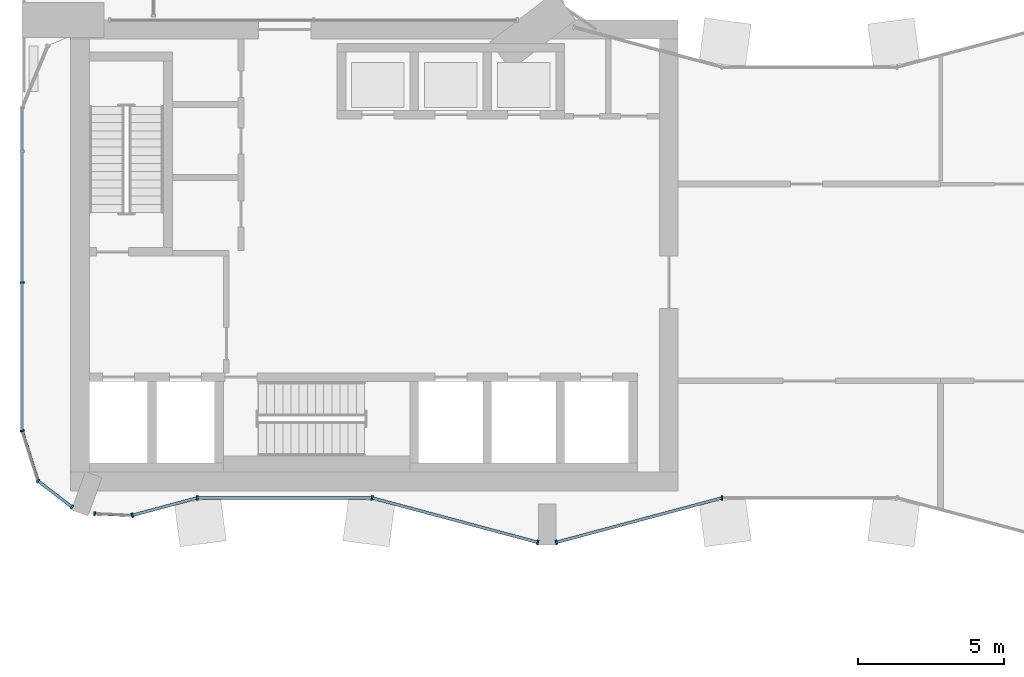
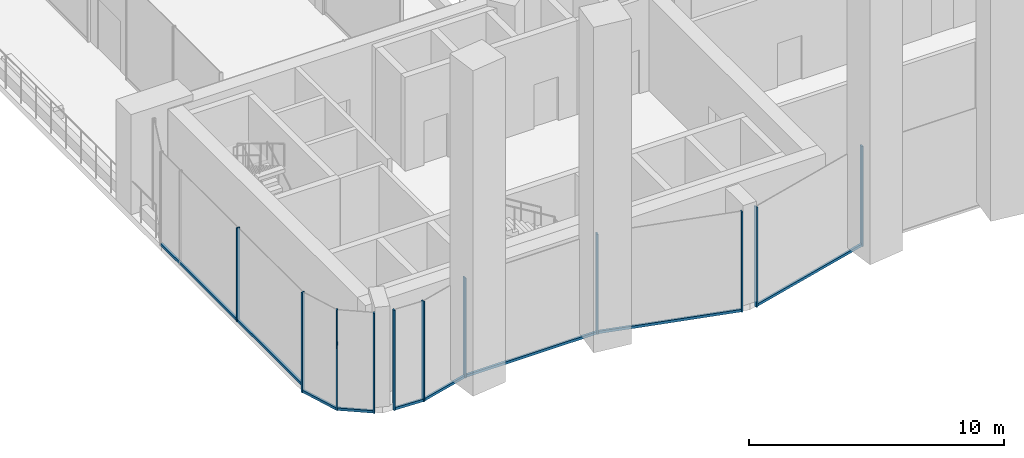
# One storey, part 2 of 23: 19 members, 9 elements without a shape of their own.
"""IFC4 building model written with IfcOpenShell, lengths in metres."""

import ifcopenshell
import ifcopenshell.guid

model = None  # the IFC model being written
_history = None  # IfcOwnerHistory: only IFC2X3 demands one
_inside = {}  # id of a spatial element -> (the spatial element, [elements in it])
_under = {}  # id of a project, library or spatial element -> (it, [spatial elements below it])
_declared = {}  # id of a project -> (the project, [libraries it declares])
_typed = {}  # id of a type object -> (the type object, [elements of that type])
_made_of = {}  # id of a material, layer set ... -> (it, [elements and type objects made of it])


def new_model(schema):
    """Start an empty IFC model of exactly this schema.

    Asked for "IFC4X3", IfcOpenShell would pick the latest addendum, in which some entities
    have other attributes; the version numbers below select the first issue.
    IFC2X3 requires an IfcOwnerHistory on every rooted entity: one is made here for all.
    """
    global model, _history
    if schema == "IFC4X3":
        model = ifcopenshell.file(schema_version=(4, 3, 0, 0))
    else:
        model = ifcopenshell.file(schema=schema)
    _inside.clear()
    _under.clear()
    _declared.clear()
    _typed.clear()
    _made_of.clear()
    _history = None
    if model.schema == "IFC2X3":
        org = make("IfcOrganization", Name="unknown")
        user = make(
            "IfcPersonAndOrganization",
            ThePerson=make("IfcPerson", FamilyName="unknown"),
            TheOrganization=org,
        )
        app = make(
            "IfcApplication",
            ApplicationDeveloper=org,
            Version="unknown",
            ApplicationFullName="unknown",
            ApplicationIdentifier="unknown",
        )
        _history = make(
            "IfcOwnerHistory",
            OwningUser=user,
            OwningApplication=app,
            ChangeAction="ADDED",
            CreationDate=0,
        )
    return model


def make(cls, **values):
    """One entity of the class cls with the attributes given. An attribute that is None is left unset."""
    return model.create_entity(
        cls, **{name: value for name, value in values.items() if value is not None}
    )


def rooted(cls, **values):
    """An entity with a GlobalId (a new one), such as an element, a storey or a relation."""
    return make(cls, GlobalId=ifcopenshell.guid.new(), OwnerHistory=_history, **values)


def si_unit(unit_type, name, prefix=None):
    """IfcSIUnit, for example si_unit("LENGTHUNIT", "METRE", prefix="MILLI")."""
    return make("IfcSIUnit", UnitType=unit_type, Prefix=prefix, Name=name)


def assignment(units):
    """IfcUnitAssignment: the units of a project."""
    return None if units is None else make("IfcUnitAssignment", Units=units)


def point(xyz):
    """IfcCartesianPoint."""
    return None if xyz is None else make("IfcCartesianPoint", Coordinates=xyz)


def direction(xyz):
    """IfcDirection."""
    return None if xyz is None else make("IfcDirection", DirectionRatios=xyz)


def frame(location, z_axis=None, x_axis=None):
    """IfcAxis2Placement3D, a coordinate frame: its origin and axes. An axis left out is left unset."""
    return make(
        "IfcAxis2Placement3D",
        Location=point(location),
        Axis=direction(z_axis),
        RefDirection=direction(x_axis),
    )


def frame_2d(location, x_axis=None):
    """IfcAxis2Placement2D, a coordinate frame in the plane: its origin and x axis."""
    return make(
        "IfcAxis2Placement2D", Location=point(location), RefDirection=direction(x_axis)
    )


def origin():
    """The frame at (0, 0, 0) with its axes left unset."""
    return frame((0.0, 0.0, 0.0))


def origin_2d():
    """The frame at (0, 0) in the plane with its x axis left unset."""
    return frame_2d((0.0, 0.0))


def place(relative_to, where):
    """IfcLocalPlacement: puts the frame where relative to a parent placement (None: the world)."""
    return make(
        "IfcLocalPlacement", PlacementRelTo=relative_to, RelativePlacement=where
    )


def context(
    kind, dimensions, precision=None, world=None, true_north=None, identifier=None
):
    """IfcGeometricRepresentationContext, for example the 3D "Model" context."""
    return make(
        "IfcGeometricRepresentationContext",
        ContextIdentifier=identifier,
        ContextType=kind,
        CoordinateSpaceDimension=dimensions,
        Precision=precision,
        WorldCoordinateSystem=world,
        TrueNorth=true_north,
    )


def subcontext(parent, identifier, kind, view, scale=None):
    """IfcGeometricRepresentationSubContext, for example "Body" below "Model"."""
    return make(
        "IfcGeometricRepresentationSubContext",
        ContextIdentifier=identifier,
        ContextType=kind,
        ParentContext=parent,
        TargetScale=scale,
        TargetView=view,
    )


def project(units=None, contexts=None):
    """IfcProject with its units and contexts."""
    return rooted(
        "IfcProject",
        Name="project",
        RepresentationContexts=contexts,
        UnitsInContext=assignment(units),
    )


def spatial(cls, under=None, at=None, **own):
    """A site, building, storey or space (cls), placed at a placement, below another one or the project."""
    s = rooted(cls, ObjectPlacement=at, **own)
    if under is not None:
        _under.setdefault(under.id(), (under, []))[1].append(s)
    return s


def profile(cls, at=None, kind="AREA", **sizes):
    """A parametric profile (cls). Its sizes go by their IFC names, for example OverallWidth=200.0."""
    return make(cls, ProfileType=kind, Position=at, **sizes)


def rectangle(**sizes):
    """IfcRectangleProfileDef."""
    return profile("IfcRectangleProfileDef", **sizes)


def extrude(swept, where, along, depth):
    """IfcExtrudedAreaSolid: the profile swept, set in the frame where, extruded along a direction by depth."""
    return make(
        "IfcExtrudedAreaSolid",
        SweptArea=swept,
        Position=where,
        ExtrudedDirection=direction(along),
        Depth=depth,
    )


def shape(context_of_items, identifier, shape_type, items):
    """IfcShapeRepresentation: the items that make up one representation, for example the "Body"."""
    return make(
        "IfcShapeRepresentation",
        ContextOfItems=context_of_items,
        RepresentationIdentifier=identifier,
        RepresentationType=shape_type,
        Items=items,
    )


def material(Name=None, Category=None):
    """IfcMaterial."""
    return make("IfcMaterial", Name=Name, Category=Category)


def layer(
    of_material, thickness, ventilated=None, Name=None, Category=None, Priority=None
):
    """IfcMaterialLayer: one layer of a wall or slab, of a material (None: an air gap)."""
    return make(
        "IfcMaterialLayer",
        Material=of_material,
        LayerThickness=thickness,
        IsVentilated=ventilated,
        Name=Name,
        Category=Category,
        Priority=Priority,
    )


def layer_set(layers, Name=None):
    """IfcMaterialLayerSet."""
    return make("IfcMaterialLayerSet", MaterialLayers=layers, LayerSetName=Name)


def material_profile(
    of_material, cross_section, Name=None, Category=None, Priority=None
):
    """IfcMaterialProfile: a cross section and its material."""
    return make(
        "IfcMaterialProfile",
        Name=Name,
        Material=of_material,
        Profile=cross_section,
        Priority=Priority,
        Category=Category,
    )


def profile_set(profiles, Name=None, composite=None):
    """IfcMaterialProfileSet."""
    return make(
        "IfcMaterialProfileSet",
        Name=Name,
        MaterialProfiles=profiles,
        CompositeProfile=composite,
    )


def made_of(thing, what):
    """Note that an element or type object is made of a material, layer set ...; save() writes the relation."""
    if what is not None:
        _made_of.setdefault(what.id(), (what, []))[1].append(thing)
    return thing


def type_object(cls, material=None, **own):
    """A type object (cls), such as IfcWallType, which elements share."""
    return made_of(rooted(cls, **own), material)


def element(
    cls,
    number,
    at=None,
    inside=None,
    cuts=None,
    type_object=None,
    material=None,
    context=None,
    identifier="Body",
    shape_type=None,
    held_by="IfcProductDefinitionShape",
    body=None,
    shapes=None,
    **own,
):
    """One element of the class cls, such as IfcWall. Its Tag is "e" and its number.

    at: its placement. inside: the storey or other place that contains it. cuts: it is an
    opening in that element (IfcRelVoidsElement). A single representation is given by context,
    identifier, shape_type and body (its items); several are given by shapes. held_by: the class
    of the entity that holds the representations. save() writes the other relations.
    """
    e = rooted(cls, Tag="e%d" % number, ObjectPlacement=at, **own)
    if body is not None:
        shapes = [shape(context, identifier, shape_type, body)]
    if shapes is not None:
        e.Representation = make(held_by, Representations=shapes)
    if inside is not None:
        _inside.setdefault(inside.id(), (inside, []))[1].append(e)
    if cuts is not None:
        rooted(
            "IfcRelVoidsElement", RelatingBuildingElement=cuts, RelatedOpeningElement=e
        )
    if type_object is not None:
        _typed.setdefault(type_object.id(), (type_object, []))[1].append(e)
    return made_of(e, material)


def aggregate(whole, parts):
    """IfcRelAggregates: a whole, such as a stair, and the parts it consists of."""
    return rooted("IfcRelAggregates", RelatingObject=whole, RelatedObjects=parts)


def save(model, path):
    """Write the relations noted so far, then the file.

    IfcRelAggregates (storeys below a building ...), IfcRelContainedInSpatialStructure (elements
    in a storey), IfcRelDefinesByType, IfcRelAssociatesMaterial and IfcRelDeclares: one each for
    every whole, place, type object, material and project.
    """
    for whole, parts in _under.values():
        aggregate(whole, parts)
    for where, things in _inside.values():
        rooted(
            "IfcRelContainedInSpatialStructure",
            RelatedElements=things,
            RelatingStructure=where,
        )
    for kind, things in _typed.values():
        rooted("IfcRelDefinesByType", RelatedObjects=things, RelatingType=kind)
    for what, things in _made_of.values():
        rooted("IfcRelAssociatesMaterial", RelatedObjects=things, RelatingMaterial=what)
    for by, libraries in _declared.values():
        rooted("IfcRelDeclares", RelatingContext=by, RelatedDefinitions=libraries)
    model.write(path)


model = new_model("IFC4")

# Units and contexts
model_context = context("Model", 3, precision=1e-05, world=origin(), true_north=direction((0.0, 1.0)))
body_context = subcontext(model_context, "Body", "Model", "MODEL_VIEW")
ifc_project = project(units=[si_unit("LENGTHUNIT", "METRE"), si_unit("AREAUNIT", "SQUARE_METRE"), si_unit("VOLUMEUNIT", "CUBIC_METRE"), si_unit("PLANEANGLEUNIT", "RADIAN"), si_unit("MASSUNIT", "GRAM", prefix="KILO")], contexts=[model_context])

# Site, building, storey
site_placement = place(None, origin())
site = spatial("IfcSite", under=ifc_project, at=site_placement, CompositionType="ELEMENT")
building_placement = place(site_placement, origin())
building = spatial("IfcBuilding", under=site, at=building_placement, Name="Plateau Cross Towers", CompositionType="ELEMENT")
storey_placement = place(building_placement, frame((0.0, 0.0, 123.800048828125)))
storey = spatial("IfcBuildingStorey", under=building, at=storey_placement, Name="L32", CompositionType="ELEMENT", Elevation=123.800048828125)

# Curtain wall, member
ifc_material_1 = material(Name="Dark low-iron glass", Category="glass")
ifc_layer_1 = layer(ifc_material_1, 0.239990234375)
ifc_layer_set_1 = layer_set([ifc_layer_1], Name="Dark low-iron glass")
curtain_wall_type_1 = type_object("IfcCurtainWallType", Name="Curtain wall flush unitised CW-B", PredefinedType="NOTDEFINED", material=ifc_layer_set_1)
curtain_wall_1_placement = place(storey_placement, origin())
curtain_wall_1 = element("IfcCurtainWall", 1, at=curtain_wall_1_placement, inside=storey, type_object=curtain_wall_type_1, Name="ENV/A/L32/A0_150", PredefinedType="NOTDEFINED")
ifc_material_2 = material(Name="Black anodised aluminium", Category="aluminium")
ifc_material_profile_1 = material_profile(ifc_material_2, rectangle(XDim=0.06005859375, YDim=0.139892578125, at=origin_2d()), Name="MULLION 60x140")
ifc_profile_set_1 = profile_set([ifc_material_profile_1], Name="Black anodised aluminium")
member_type_1 = type_object("IfcMemberType", Name="Mullion 60x140 flush unitised", PredefinedType="MULLION", material=ifc_profile_set_1)
member_1_placement = place(storey_placement, frame((0.0, 9.0, 0.0), z_axis=(0.0, 0.0, 1.0), x_axis=(0.0, -1.0, 0.0)))
member_1 = element("IfcMember", 2, at=member_1_placement, type_object=member_type_1, Name="CW-B mullion 3", PredefinedType="MULLION", context=body_context, shape_type="SweptSolid", body=[
    extrude(rectangle(XDim=0.06005859375, YDim=0.139892578125, at=origin_2d()), origin(), (0.0, 0.0, 1.0), 4.5),
])

curtain_wall_2_placement = place(storey_placement, origin())
curtain_wall_2 = element("IfcCurtainWall", 3, at=curtain_wall_2_placement, inside=storey, type_object=curtain_wall_type_1, Name="ENV/A/L32/A0_39", PredefinedType="NOTDEFINED")
member_2_placement = place(storey_placement, frame((0.0, 3.9091796875, -0.300048828125), z_axis=(0.0, 0.0, 1.0), x_axis=(0.300686174994, -0.95372313811, 0.0)))
member_2 = element("IfcMember", 4, at=member_2_placement, type_object=member_type_1, Name="CW-B mullion 1", PredefinedType="MULLION", context=body_context, shape_type="SweptSolid", body=[
    extrude(rectangle(XDim=0.06005859375, YDim=0.139892578125, at=origin_2d()), origin(), (0.0, 0.0, 1.0), 4.800048828125),
])

# Curtain wall, members
curtain_wall_3_placement = place(storey_placement, origin())
curtain_wall_3 = element("IfcCurtainWall", 5, at=curtain_wall_3_placement, inside=storey, type_object=curtain_wall_type_1, Name="ENV/A/L32/A5_22", PredefinedType="NOTDEFINED")
member_3_placement = place(storey_placement, frame((0.54248046875, 2.1884765625, -0.300048828125), z_axis=(0.0, 0.0, 1.0), x_axis=(0.793315514529, -0.608810721331, 0.0)))
member_3 = element("IfcMember", 6, at=member_3_placement, type_object=member_type_1, Name="CW-B mullion 1", PredefinedType="MULLION", context=body_context, shape_type="SweptSolid", body=[
    extrude(rectangle(XDim=0.06005859375, YDim=0.139892578125, at=origin_2d()), origin(), (0.0, 0.0, 1.0), 4.800048828125),
])
member_4_placement = place(storey_placement, frame((1.709716796875, 1.292724609375, -0.300048828125), z_axis=(0.0, 0.0, 1.0), x_axis=(0.793315514529, -0.608810721331, 0.0)))
member_4 = element("IfcMember", 7, at=member_4_placement, type_object=member_type_1, Name="CW-B mullion 2", PredefinedType="MULLION", context=body_context, shape_type="SweptSolid", body=[
    extrude(rectangle(XDim=0.06005859375, YDim=0.139892578125, at=origin_2d()), origin(), (0.0, 0.0, 1.0), 4.800048828125),
])

# Curtain wall, member
curtain_wall_4_placement = place(storey_placement, origin())
curtain_wall_4 = element("IfcCurtainWall", 8, at=curtain_wall_4_placement, inside=storey, type_object=curtain_wall_type_1, Name="ENV/A/L32/A25_11", PredefinedType="NOTDEFINED")
member_5_placement = place(storey_placement, frame((2.483642578125, 1.06787109375, -0.300048828125), z_axis=(0.0, 0.0, 1.0), x_axis=(0.999043701491, -0.043722791671, 0.0)))
member_5 = element("IfcMember", 9, at=member_5_placement, type_object=member_type_1, Name="CW-B mullion 1", PredefinedType="MULLION", context=body_context, shape_type="SweptSolid", body=[
    extrude(rectangle(XDim=0.06005859375, YDim=0.139892578125, at=origin_2d()), origin(), (0.0, 0.0, 1.0), 4.800048828125),
])

ifc_layer_2 = layer(ifc_material_1, 0.260009765625)
ifc_layer_set_2 = layer_set([ifc_layer_2], Name="Dark low-iron glass")
curtain_wall_type_2 = type_object("IfcCurtainWallType", Name="Curtain wall fluted unitised CW-A", PredefinedType="NOTDEFINED", material=ifc_layer_set_2)
curtain_wall_5_placement = place(storey_placement, origin())
curtain_wall_5 = element("IfcCurtainWall", 10, at=curtain_wall_5_placement, inside=storey, type_object=curtain_wall_type_2, Name="ENV/A/L32/A38_10", PredefinedType="NOTDEFINED")
ifc_material_profile_2 = material_profile(ifc_material_2, rectangle(XDim=0.06005859375, YDim=0.159912109375, at=origin_2d()), Name="MULLION 60x160")
ifc_profile_set_2 = profile_set([ifc_material_profile_2], Name="Black anodised aluminium")
member_type_2 = type_object("IfcMemberType", Name="Mullion 60x160 fluted unitised", PredefinedType="MULLION", material=ifc_profile_set_2)
member_6_placement = place(storey_placement, frame((3.776123046875, 1.01123046875, -0.300048828125), z_axis=(0.0, 0.0, 1.0), x_axis=(0.965957962328, 0.258699081978, 0.0)))
member_6 = element("IfcMember", 11, at=member_6_placement, type_object=member_type_2, Name="CW-A mullion 1", PredefinedType="MULLION", context=body_context, shape_type="SweptSolid", body=[
    extrude(rectangle(XDim=0.06005859375, YDim=0.159912109375, at=origin_2d()), origin(), (0.0, 0.0, 1.0), 4.800048828125),
])

curtain_wall_6_placement = place(storey_placement, origin())
curtain_wall_6 = element("IfcCurtainWall", 12, at=curtain_wall_6_placement, inside=storey, type_object=curtain_wall_type_2, Name="ENV/A/L32/A60_16", PredefinedType="NOTDEFINED")
member_7_placement = place(storey_placement, frame((6.0, 1.60693359375, -0.300048828125), z_axis=(0.0, 0.0, 1.0), x_axis=(1.0, 0.0, 0.0)))
member_7 = element("IfcMember", 13, at=member_7_placement, type_object=member_type_2, Name="CW-A mullion 1", PredefinedType="MULLION", context=body_context, shape_type="SweptSolid", body=[
    extrude(rectangle(XDim=0.06005859375, YDim=0.159912109375, at=origin_2d()), origin(), (0.0, 0.0, 1.0), 4.800048828125),
])

# Curtain wall, members
curtain_wall_7_placement = place(storey_placement, origin())
curtain_wall_7 = element("IfcCurtainWall", 14, at=curtain_wall_7_placement, inside=storey, type_object=curtain_wall_type_2, Name="ENV/A/L32/A120_16", PredefinedType="NOTDEFINED")
member_8_placement = place(storey_placement, frame((12.0, 1.60693359375, -0.300048828125), z_axis=(0.0, 0.0, 1.0), x_axis=(0.965957983404, -0.258699003279, 0.0)))
member_8 = element("IfcMember", 15, at=member_8_placement, type_object=member_type_2, Name="CW-A mullion 1", PredefinedType="MULLION", context=body_context, shape_type="SweptSolid", body=[
    extrude(rectangle(XDim=0.06005859375, YDim=0.159912109375, at=origin_2d()), origin(), (0.0, 0.0, 1.0), 4.800048828125),
])
member_9_placement = place(storey_placement, frame((17.68212890625, 0.085205078125, -0.300048828125), z_axis=(0.0, 0.0, 1.0), x_axis=(0.965957983404, -0.258699003279, 0.0)))
member_9 = element("IfcMember", 16, at=member_9_placement, type_object=member_type_2, Name="CW-A mullion 2", PredefinedType="MULLION", context=body_context, shape_type="SweptSolid", body=[
    extrude(rectangle(XDim=0.06005859375, YDim=0.159912109375, at=origin_2d()), origin(), (0.0, 0.0, 1.0), 4.800048828125),
])

# Curtain wall, member
curtain_wall_8_placement = place(storey_placement, origin())
curtain_wall_8 = element("IfcCurtainWall", 17, at=curtain_wall_8_placement, inside=storey, type_object=curtain_wall_type_2, Name="ENV/A/L32/A183_1", PredefinedType="NOTDEFINED")
member_10_placement = place(storey_placement, frame((18.31787109375, 0.085205078125, -0.300048828125), z_axis=(0.0, 0.0, 1.0), x_axis=(0.965957983404, 0.258699003279, 0.0)))
member_10 = element("IfcMember", 18, at=member_10_placement, type_object=member_type_2, Name="CW-A mullion 1", PredefinedType="MULLION", context=body_context, shape_type="SweptSolid", body=[
    extrude(rectangle(XDim=0.06005859375, YDim=0.159912109375, at=origin_2d()), origin(), (0.0, 0.0, 1.0), 4.800048828125),
])

curtain_wall_9_placement = place(storey_placement, origin())
curtain_wall_9 = element("IfcCurtainWall", 19, at=curtain_wall_9_placement, inside=storey, type_object=curtain_wall_type_2, Name="ENV/A/L32/A240_16", PredefinedType="NOTDEFINED")
member_11_placement = place(storey_placement, frame((24.0, 1.60693359375, -0.300048828125), z_axis=(0.0, 0.0, 1.0), x_axis=(1.0, 0.0, 0.0)))
member_11 = element("IfcMember", 20, at=member_11_placement, type_object=member_type_2, Name="CW-A mullion 1", PredefinedType="MULLION", context=body_context, shape_type="SweptSolid", body=[
    extrude(rectangle(XDim=0.06005859375, YDim=0.159912109375, at=origin_2d()), origin(), (0.0, 0.0, 1.0), 4.800048828125),
])
aggregate(curtain_wall_9, [member_11])

# Member
ifc_material_profile_3 = material_profile(ifc_material_2, rectangle(XDim=0.10009765625, YDim=0.1201171875, at=origin_2d()), Name="TRANSOM 100x120")
ifc_profile_set_3 = profile_set([ifc_material_profile_3], Name="Black anodised aluminium")
member_type_3 = type_object("IfcMemberType", Name="Transom 100x120 flush unitised", PredefinedType="USERDEFINED", material=ifc_profile_set_3)
member_12_placement = place(storey_placement, frame((0.0, 15.0, 0.06005859375), z_axis=(0.0, -1.0, 0.0), x_axis=(1.0, 0.0, 0.0)))
member_12 = element("IfcMember", 21, at=member_12_placement, type_object=member_type_3, Name="CW-B transom", ObjectType="TRANSOM", PredefinedType="USERDEFINED", context=body_context, shape_type="SweptSolid", body=[
    extrude(rectangle(XDim=0.10009765625, YDim=0.1201171875, at=origin_2d()), origin(), (0.0, 0.0, 1.0), 11.0908203125),
])

aggregate(curtain_wall_1, [member_1, member_12])

member_13_placement = place(storey_placement, frame((0.0, 3.9091796875, -0.239990234375), z_axis=(0.30067799945, -0.953725715626, 0.0), x_axis=(0.953725715626, 0.30067799945, 0.0)))
member_13 = element("IfcMember", 22, at=member_13_placement, type_object=member_type_3, Name="CW-B transom", ObjectType="TRANSOM", PredefinedType="USERDEFINED", context=body_context, shape_type="SweptSolid", body=[
    extrude(rectangle(XDim=0.10009765625, YDim=0.1201171875, at=origin_2d()), origin(), (0.0, 0.0, 1.0), 1.80419921875),
])

aggregate(curtain_wall_2, [member_2, member_13])

member_14_placement = place(storey_placement, frame((0.54248046875, 2.1884765625, -0.239990234375), z_axis=(0.793320508571, -0.608804213751, 0.0), x_axis=(0.608804213751, 0.793320508571, 0.0)))
member_14 = element("IfcMember", 23, at=member_14_placement, type_object=member_type_3, Name="CW-B transom", ObjectType="TRANSOM", PredefinedType="USERDEFINED", context=body_context, shape_type="SweptSolid", body=[
    extrude(rectangle(XDim=0.10009765625, YDim=0.1201171875, at=origin_2d()), origin(), (0.0, 0.0, 1.0), 1.471435546875),
])

aggregate(curtain_wall_3, [member_3, member_4, member_14])

member_15_placement = place(storey_placement, frame((2.483642578125, 1.06787109375, -0.239990234375), z_axis=(0.999041144614, -0.043781175963, 0.0), x_axis=(0.043781175963, 0.999041144614, 0.0)))
member_15 = element("IfcMember", 24, at=member_15_placement, type_object=member_type_3, Name="CW-B transom", ObjectType="TRANSOM", PredefinedType="USERDEFINED", context=body_context, shape_type="SweptSolid", body=[
    extrude(rectangle(XDim=0.10009765625, YDim=0.1201171875, at=origin_2d()), origin(), (0.0, 0.0, 1.0), 1.293701171875),
])

aggregate(curtain_wall_4, [member_5, member_15])

ifc_material_profile_4 = material_profile(ifc_material_2, rectangle(XDim=0.10009765625, YDim=0.1201171875, at=origin_2d()), Name="TRANSOM 100x120")
ifc_profile_set_4 = profile_set([ifc_material_profile_4], Name="Black anodised aluminium")
member_type_4 = type_object("IfcMemberType", Name="Transom 100x120 fluted unitised", PredefinedType="USERDEFINED", material=ifc_profile_set_4)
member_16_placement = place(storey_placement, frame((3.776123046875, 1.01123046875, -0.239990234375), z_axis=(0.965945685136, 0.258744919501, 0.0), x_axis=(-0.258744919501, 0.965945685136, 0.0)))
member_16 = element("IfcMember", 25, at=member_16_placement, type_object=member_type_4, Name="CW-A transom", ObjectType="TRANSOM", PredefinedType="USERDEFINED", context=body_context, shape_type="SweptSolid", body=[
    extrude(rectangle(XDim=0.10009765625, YDim=0.1201171875, at=origin_2d()), origin(), (0.0, 0.0, 1.0), 2.30224609375),
])

aggregate(curtain_wall_5, [member_6, member_16])

member_17_placement = place(storey_placement, frame((6.0, 1.60693359375, -0.239990234375), z_axis=(1.0, 0.0, 0.0), x_axis=(0.0, 1.0, 0.0)))
member_17 = element("IfcMember", 26, at=member_17_placement, type_object=member_type_4, Name="CW-A transom", ObjectType="TRANSOM", PredefinedType="USERDEFINED", context=body_context, shape_type="SweptSolid", body=[
    extrude(rectangle(XDim=0.10009765625, YDim=0.1201171875, at=origin_2d()), origin(), (0.0, 0.0, 1.0), 6.0),
])

aggregate(curtain_wall_6, [member_7, member_17])

member_18_placement = place(storey_placement, frame((12.0, 1.60693359375, -0.239990234375), z_axis=(0.965959534794, -0.258693210465, 0.0), x_axis=(0.258693210465, 0.965959534794, 0.0)))
member_18 = element("IfcMember", 27, at=member_18_placement, type_object=member_type_4, Name="CW-A transom", ObjectType="TRANSOM", PredefinedType="USERDEFINED", context=body_context, shape_type="SweptSolid", body=[
    extrude(rectangle(XDim=0.10009765625, YDim=0.1201171875, at=origin_2d()), origin(), (0.0, 0.0, 1.0), 5.88232421875),
])

aggregate(curtain_wall_7, [member_8, member_9, member_18])

member_19_placement = place(storey_placement, frame((18.31787109375, 0.085205078125, -0.239990234375), z_axis=(0.965959534794, 0.258693210465, 0.0), x_axis=(-0.258693210465, 0.965959534794, 0.0)))
member_19 = element("IfcMember", 28, at=member_19_placement, type_object=member_type_4, Name="CW-A transom", ObjectType="TRANSOM", PredefinedType="USERDEFINED", context=body_context, shape_type="SweptSolid", body=[
    extrude(rectangle(XDim=0.10009765625, YDim=0.1201171875, at=origin_2d()), origin(), (0.0, 0.0, 1.0), 5.88232421875),
])

aggregate(curtain_wall_8, [member_10, member_19])

save(model, "model.ifc")
